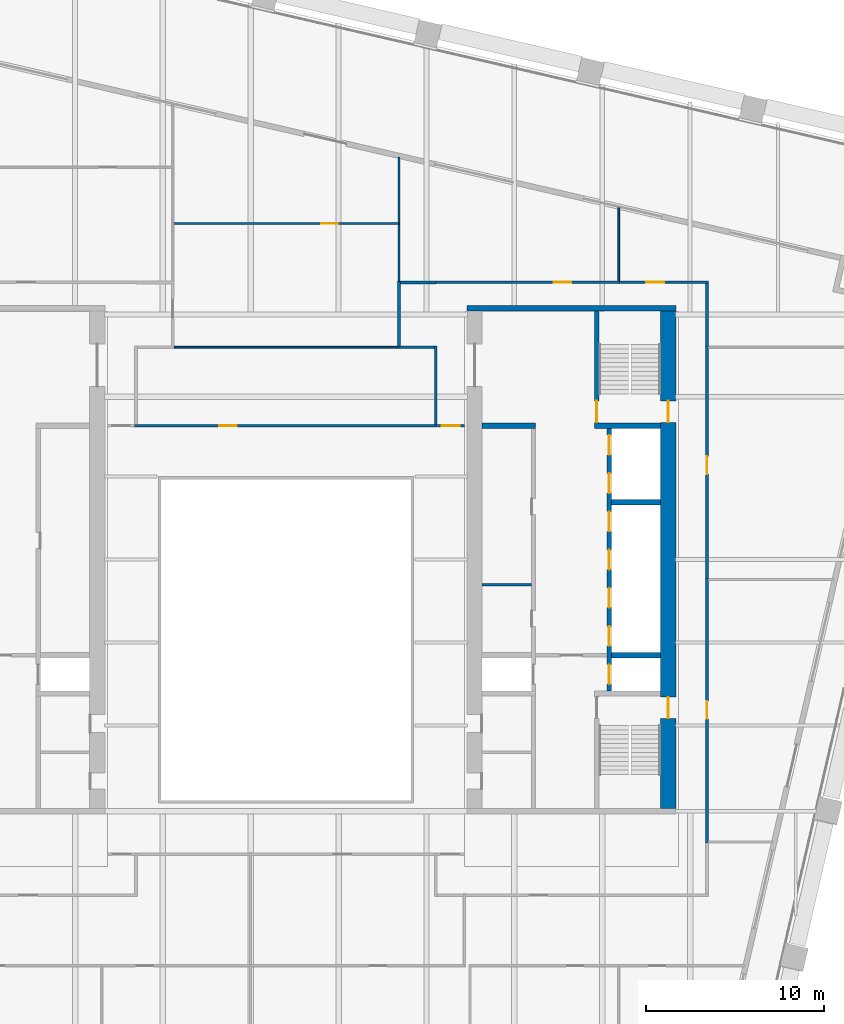
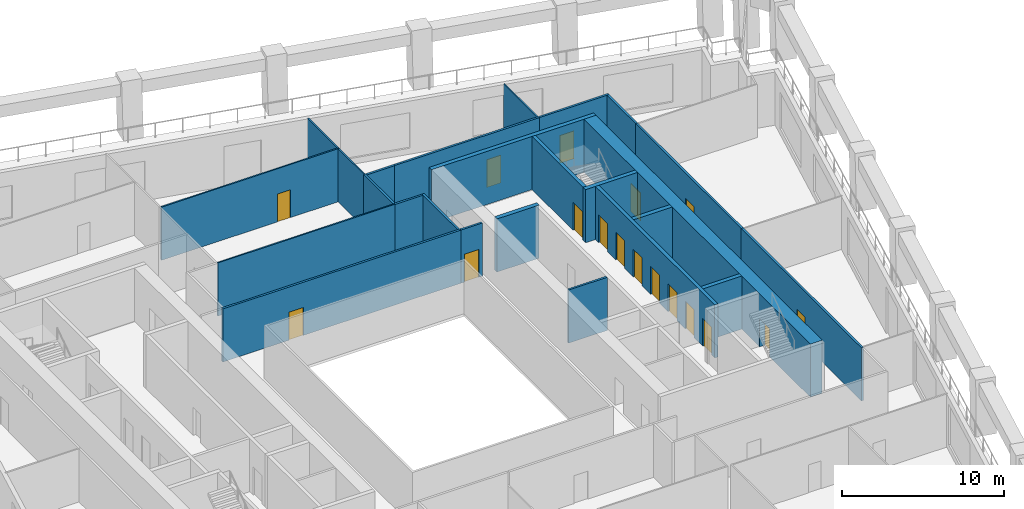
# One storey, part 7 of 10: 25 walls, 17 doors, 17 openings.
"""IFC4 building model written with IfcOpenShell, lengths in metres."""

from ifc_helpers import new_model, si_unit, direction, frame, frame_2d, origin, place, context, subcontext, project, spatial, rectangle, extrude, material, layer, layer_set, type_object, element, fill, save


model = new_model("IFC4")

# Units and contexts
model_context = context("Model", 3, precision=1e-05, world=origin(), true_north=direction((0.0, 1.0)))
body_context = subcontext(model_context, "Body", "Model", "MODEL_VIEW")
ifc_project = project(units=[si_unit("LENGTHUNIT", "METRE"), si_unit("AREAUNIT", "SQUARE_METRE"), si_unit("VOLUMEUNIT", "CUBIC_METRE"), si_unit("PLANEANGLEUNIT", "RADIAN"), si_unit("MASSUNIT", "GRAM", prefix="KILO")], contexts=[model_context])

# Site, building, storey
site_placement = place(None, origin())
site = spatial("IfcSite", under=ifc_project, at=site_placement, CompositionType="ELEMENT")
building_placement = place(site_placement, origin())
building = spatial("IfcBuilding", under=site, at=building_placement, Name="Ogive Exchange Tower", CompositionType="ELEMENT")
storey_placement = place(building_placement, frame((0.0, 0.0, 147.60009765625)))
storey = spatial("IfcBuildingStorey", under=building, at=storey_placement, Name="L32", CompositionType="ELEMENT", Elevation=147.60009765625)

# Walls
ifc_material_1 = material(Name="Gypsum board partition")
ifc_layer_1 = layer(ifc_material_1, 0.14990234375)
ifc_layer_set_1 = layer_set([ifc_layer_1], Name="Core room partition 150 gypsum")
wall_type_1 = type_object("IfcWallType", Name="Core room partition 150 gypsum", PredefinedType="PARTITIONING", material=ifc_layer_set_1)
wall_1_placement = place(storey_placement, frame((11.0, 10.10009765625, 0.0), z_axis=(0.0, 0.0, 1.0), x_axis=(1.0, 0.0, 0.0)))
element("IfcWall", 1, at=wall_1_placement, inside=storey, type_object=wall_type_1, Name="E row B bay partition 1-1", PredefinedType="PARTITIONING", context=body_context, shape_type="SweptSolid", body=[
    extrude(rectangle(XDim=2.75, YDim=0.14990234375, at=frame_2d((1.375, 0.0))), origin(), (0.0, 0.0, 1.0), 4.0),
])
ifc_layer_2 = layer(ifc_material_1, 0.300048828125)
ifc_layer_set_2 = layer_set([ifc_layer_2], Name="Core room partition 300 gypsum")
wall_type_2 = type_object("IfcWallType", Name="Core room partition 300 gypsum", PredefinedType="PARTITIONING", material=ifc_layer_set_2)
wall_2_placement = place(storey_placement, frame((11.0, 19.0, 0.0), z_axis=(0.0, 0.0, 1.0), x_axis=(1.0, 0.0, 0.0)))
element("IfcWall", 2, at=wall_2_placement, inside=storey, type_object=wall_type_2, Name="E row B room end wall 7", PredefinedType="PARTITIONING", context=body_context, shape_type="SweptSolid", body=[
    extrude(rectangle(XDim=3.0, YDim=0.300048828125, at=frame_2d((1.5, 0.0))), origin(), (0.0, 0.0, 1.0), 4.0),
])

# Wall, opening, door
ifc_material_2 = material(Name="Fire partition EI 60 150")
ifc_layer_3 = layer(ifc_material_2, 0.14990234375)
ifc_layer_set_3 = layer_set([ifc_layer_3], Name="Fire partition EI 60 150")
wall_type_3 = type_object("IfcWallType", Name="Fire partition EI 60 150", PredefinedType="PARTITIONING", material=ifc_layer_set_3)
wall_3_placement = place(storey_placement, frame((-8.47509765625, 19.0, 0.0), z_axis=(0.0, 0.0, 1.0), x_axis=(1.0, 0.0, 0.0)))
wall_3 = element("IfcWall", 3, at=wall_3_placement, inside=storey, type_object=wall_type_3, Name="L32-PWL-023", PredefinedType="PARTITIONING", context=body_context, shape_type="SweptSolid", body=[
    extrude(rectangle(XDim=16.9501953125, YDim=0.14990234375, at=frame_2d((8.47509765625, 0.0))), origin(), (0.0, 0.0, 1.0), 4.0),
])
opening_1_placement = place(wall_3_placement, frame((4.72509765625, 0.0, 0.0)))
opening_1 = element("IfcOpeningElement", 4, at=opening_1_placement, cuts=wall_3, Name="Opening L32-I02", PredefinedType="OPENING", context=body_context, shape_type="SweptSolid", body=[
    extrude(rectangle(XDim=1.0, YDim=2.10009765625, at=frame_2d((0.5, 1.050048828125))), frame((0.0, 0.0849609375, 0.0), z_axis=(0.0, -1.0, 0.0), x_axis=(1.0, 0.0, 0.0)), (0.0, 0.0, 1.0), 0.169921875),
])
ifc_material_3 = material(Name="Fire door FD 30S 1000 x 2100")
door_type_1 = type_object("IfcDoorType", Name="Fire door FD 30S 1000 x 2100", OperationType="NOTDEFINED", PredefinedType="DOOR", material=ifc_material_3)
door_1_placement = place(opening_1_placement, origin())
door_1 = element("IfcDoor", 5, at=door_1_placement, inside=storey, type_object=door_type_1, Name="L32-IDR-002", ObjectType="DT3", OperationType="SINGLE_SWING_LEFT", OverallHeight=2.10009765625, OverallWidth=1.0, PredefinedType="DOOR", context=body_context, shape_type="SweptSolid", body=[
    extrude(rectangle(XDim=1.0, YDim=2.10009765625, at=frame_2d((0.5, 1.050048828125))), frame((0.0, 0.02490234375, 0.0), z_axis=(0.0, -1.0, 0.0), x_axis=(1.0, 0.0, 0.0)), (0.0, 0.0, 1.0), 0.050048828125),
])
fill(opening_1, door_1)

# Walls
wall_4_placement = place(storey_placement, frame((6.340087890625, 23.4599609375, 0.0), z_axis=(0.0, 0.0, 1.0), x_axis=(0.0, 1.0, 0.0)))
element("IfcWall", 6, at=wall_4_placement, inside=storey, type_object=wall_type_3, Name="L32-PWL-037", PredefinedType="PARTITIONING", context=body_context, shape_type="SweptSolid", body=[
    extrude(rectangle(XDim=3.655029296875, YDim=0.14990234375, at=frame_2d((1.82763671875, 0.0))), origin(), (0.0, 0.0, 1.0), 4.0),
])
wall_5_placement = place(storey_placement, frame((6.4150390625, 27.0400390625, 0.0), z_axis=(0.0, 0.0, 1.0), x_axis=(1.0, 0.0, 0.0)))
element("IfcWall", 7, at=wall_5_placement, inside=storey, type_object=wall_type_3, Name="L32-PWL-039", PredefinedType="PARTITIONING", context=body_context, shape_type="SweptSolid", body=[
    extrude(rectangle(XDim=1.98486328125, YDim=0.14990234375, at=frame_2d((0.992431640625, 0.0))), origin(), (0.0, 0.0, 1.0), 4.0),
])
wall_6_placement = place(storey_placement, frame((8.39990234375, 19.074951171875, 0.0), z_axis=(0.0, 0.0, 1.0), x_axis=(0.0, 1.0, 0.0)))
element("IfcWall", 8, at=wall_6_placement, inside=storey, type_object=wall_type_3, Name="L32-PWL-043", PredefinedType="PARTITIONING", context=body_context, shape_type="SweptSolid", body=[
    extrude(rectangle(XDim=4.41015625, YDim=0.14990234375, at=frame_2d((2.205078125, 0.0))), origin(), (0.0, 0.0, 1.0), 4.0),
])
wall_7_placement = place(storey_placement, frame((8.324951171875, 23.409912109375, 0.0), z_axis=(0.0, 0.0, 1.0), x_axis=(-1.0, 0.0, 0.0)))
element("IfcWall", 9, at=wall_7_placement, inside=storey, type_object=wall_type_3, Name="L32-PWL-044", PredefinedType="PARTITIONING", context=body_context, shape_type="SweptSolid", body=[
    extrude(rectangle(XDim=1.98486328125, YDim=0.14990234375, at=frame_2d((0.992431640625, 0.0))), origin(), (0.0, 0.0, 1.0), 4.0),
])

# Wall, opening, door
wall_8_placement = place(storey_placement, frame((8.39990234375, 27.050048828125, 0.0), z_axis=(0.0, 0.0, 1.0), x_axis=(1.0, 0.0, 0.0)))
wall_8 = element("IfcWall", 10, at=wall_8_placement, inside=storey, type_object=wall_type_3, Name="L32-PWL-045", PredefinedType="PARTITIONING", context=body_context, shape_type="SweptSolid", body=[
    extrude(rectangle(XDim=10.300048828125, YDim=0.14990234375, at=frame_2d((5.14990234375, 0.0))), origin(), (0.0, 0.0, 1.0), 4.0),
])
opening_2_placement = place(wall_8_placement, frame((6.60009765625, 0.0, 0.0)))
opening_2 = element("IfcOpeningElement", 11, at=opening_2_placement, cuts=wall_8, Name="Opening L32-I05", PredefinedType="OPENING", context=body_context, shape_type="SweptSolid", body=[
    extrude(rectangle(XDim=1.0, YDim=2.10009765625, at=frame_2d((0.5, 1.050048828125))), frame((0.0, 0.0849609375, 0.0), z_axis=(0.0, -1.0, 0.0), x_axis=(1.0, 0.0, 0.0)), (0.0, 0.0, 1.0), 0.169921875),
])
door_2_placement = place(opening_2_placement, origin())
door_2 = element("IfcDoor", 12, at=door_2_placement, inside=storey, type_object=door_type_1, Name="L32-IDR-005", ObjectType="DT3", OperationType="SINGLE_SWING_LEFT", OverallHeight=2.10009765625, OverallWidth=1.0, PredefinedType="DOOR", context=body_context, shape_type="SweptSolid", body=[
    extrude(rectangle(XDim=1.0, YDim=2.10009765625, at=frame_2d((0.5, 1.050048828125))), frame((0.0, 0.02490234375, 0.0), z_axis=(0.0, -1.0, 0.0), x_axis=(1.0, 0.0, 0.0)), (0.0, 0.0, 1.0), 0.050048828125),
])
fill(opening_2, door_2)

wall_9_placement = place(storey_placement, frame((18.699951171875, 27.050048828125, 0.0), z_axis=(0.0, 0.0, 1.0), x_axis=(1.0, 0.0, 0.0)))
wall_9 = element("IfcWall", 13, at=wall_9_placement, inside=storey, type_object=wall_type_3, Name="L32-PWL-053", PredefinedType="PARTITIONING", context=body_context, shape_type="SweptSolid", body=[
    extrude(rectangle(XDim=4.97509765625, YDim=0.14990234375, at=frame_2d((2.487548828125, 0.0))), origin(), (0.0, 0.0, 1.0), 4.0),
])
opening_3_placement = place(wall_9_placement, frame((1.5, 0.0, 0.0)))
opening_3 = element("IfcOpeningElement", 14, at=opening_3_placement, cuts=wall_9, Name="Opening L32-I04", PredefinedType="OPENING", context=body_context, shape_type="SweptSolid", body=[
    extrude(rectangle(XDim=1.0, YDim=2.10009765625, at=frame_2d((0.5, 1.050048828125))), frame((0.0, 0.0849609375, 0.0), z_axis=(0.0, -1.0, 0.0), x_axis=(1.0, 0.0, 0.0)), (0.0, 0.0, 1.0), 0.169921875),
])
door_3_placement = place(opening_3_placement, origin())
door_3 = element("IfcDoor", 15, at=door_3_placement, inside=storey, type_object=door_type_1, Name="L32-IDR-004", ObjectType="DT3", OperationType="SINGLE_SWING_RIGHT", OverallHeight=2.10009765625, OverallWidth=1.0, PredefinedType="DOOR", context=body_context, shape_type="SweptSolid", body=[
    extrude(rectangle(XDim=1.0, YDim=2.10009765625, at=frame_2d((0.5, 1.050048828125))), frame((0.0, 0.02490234375, 0.0), z_axis=(0.0, -1.0, 0.0), x_axis=(1.0, 0.0, 0.0)), (0.0, 0.0, 1.0), 0.050048828125),
])
fill(opening_3, door_3)

wall_10_placement = place(storey_placement, frame((23.60009765625, 10.43994140625, 0.0), z_axis=(0.0, 0.0, 1.0), x_axis=(0.0, -1.0, 0.0)))
wall_10 = element("IfcWall", 16, at=wall_10_placement, inside=storey, type_object=wall_type_3, Name="L32-PWL-056", PredefinedType="PARTITIONING", context=body_context, shape_type="SweptSolid", body=[
    extrude(rectangle(XDim=14.81005859375, YDim=0.14990234375, at=frame_2d((7.405029296875, 0.0))), origin(), (0.0, 0.0, 1.0), 4.0),
])
opening_4_placement = place(wall_10_placement, frame((6.860107421875, 0.0, 0.0)))
opening_4 = element("IfcOpeningElement", 17, at=opening_4_placement, cuts=wall_10, Name="Opening L32-I11", PredefinedType="OPENING", context=body_context, shape_type="SweptSolid", body=[
    extrude(rectangle(XDim=1.0, YDim=2.10009765625, at=frame_2d((0.5, 1.050048828125))), frame((0.0, 0.0849609375, 0.0), z_axis=(0.0, -1.0, 0.0), x_axis=(1.0, 0.0, 0.0)), (0.0, 0.0, 1.0), 0.169921875),
])
door_4_placement = place(opening_4_placement, origin())
door_4 = element("IfcDoor", 18, at=door_4_placement, inside=storey, type_object=door_type_1, Name="L32-IDR-011", ObjectType="DT3", OperationType="SINGLE_SWING_RIGHT", OverallHeight=2.10009765625, OverallWidth=1.0, PredefinedType="DOOR", context=body_context, shape_type="SweptSolid", body=[
    extrude(rectangle(XDim=1.0, YDim=2.10009765625, at=frame_2d((0.5, 1.050048828125))), frame((0.0, 0.02490234375, 0.0), z_axis=(0.0, -1.0, 0.0), x_axis=(1.0, 0.0, 0.0)), (0.0, 0.0, 1.0), 0.050048828125),
])
fill(opening_4, door_4)

wall_11_placement = place(storey_placement, frame((23.60009765625, 23.4599609375, 0.0), z_axis=(0.0, 0.0, 1.0), x_axis=(0.0, -1.0, 0.0)))
wall_11 = element("IfcWall", 19, at=wall_11_placement, inside=storey, type_object=wall_type_3, Name="L32-PWL-057", PredefinedType="PARTITIONING", context=body_context, shape_type="SweptSolid", body=[
    extrude(rectangle(XDim=13.02001953125, YDim=0.14990234375, at=frame_2d((6.510009765625, 0.0))), origin(), (0.0, 0.0, 1.0), 4.0),
])
opening_5_placement = place(wall_11_placement, frame((6.169921875, 0.0, 0.0)))
opening_5 = element("IfcOpeningElement", 20, at=opening_5_placement, cuts=wall_11, Name="Opening L32-I03", PredefinedType="OPENING", context=body_context, shape_type="SweptSolid", body=[
    extrude(rectangle(XDim=1.0, YDim=2.10009765625, at=frame_2d((0.5, 1.050048828125))), frame((0.0, 0.0849609375, 0.0), z_axis=(0.0, -1.0, 0.0), x_axis=(1.0, 0.0, 0.0)), (0.0, 0.0, 1.0), 0.169921875),
])
door_5_placement = place(opening_5_placement, origin())
door_5 = element("IfcDoor", 21, at=door_5_placement, inside=storey, type_object=door_type_1, Name="L32-IDR-003", ObjectType="DT3", OperationType="SINGLE_SWING_LEFT", OverallHeight=2.10009765625, OverallWidth=1.0, PredefinedType="DOOR", context=body_context, shape_type="SweptSolid", body=[
    extrude(rectangle(XDim=1.0, YDim=2.10009765625, at=frame_2d((0.5, 1.050048828125))), frame((0.0, 0.02490234375, 0.0), z_axis=(0.0, -1.0, 0.0), x_axis=(1.0, 0.0, 0.0)), (0.0, 0.0, 1.0), 0.050048828125),
])
fill(opening_5, door_5)

# Wall
wall_12_placement = place(storey_placement, frame((23.60009765625, 26.97509765625, 0.0), z_axis=(0.0, 0.0, 1.0), x_axis=(0.0, -1.0, 0.0)))
element("IfcWall", 22, at=wall_12_placement, inside=storey, type_object=wall_type_3, Name="L32-PWL-059", PredefinedType="PARTITIONING", context=body_context, shape_type="SweptSolid", body=[
    extrude(rectangle(XDim=3.51513671875, YDim=0.14990234375, at=frame_2d((1.757568359375, 0.0))), origin(), (0.0, 0.0, 1.0), 4.0),
])

# Wall, opening, door
wall_13_placement = place(storey_placement, frame((8.485107421875, 19.0, 0.0), z_axis=(0.0, 0.0, 1.0), x_axis=(1.0, 0.0, 0.0)))
wall_13 = element("IfcWall", 23, at=wall_13_placement, inside=storey, type_object=wall_type_3, Name="L32-PWL-066", PredefinedType="PARTITIONING", context=body_context, shape_type="SweptSolid", body=[
    extrude(rectangle(XDim=1.514892578125, YDim=0.14990234375, at=frame_2d((0.75732421875, 0.0))), origin(), (0.0, 0.0, 1.0), 4.0),
])
opening_6_placement = place(wall_13_placement, frame((0.258056640625, 0.0, 0.0)))
opening_6 = element("IfcOpeningElement", 24, at=opening_6_placement, cuts=wall_13, Name="Opening L32-I25", PredefinedType="OPENING", context=body_context, shape_type="SweptSolid", body=[
    extrude(rectangle(XDim=1.0, YDim=2.10009765625, at=frame_2d((0.5, 1.050048828125))), frame((0.0, 0.0849609375, 0.0), z_axis=(0.0, -1.0, 0.0), x_axis=(1.0, 0.0, 0.0)), (0.0, 0.0, 1.0), 0.169921875),
])
door_6_placement = place(opening_6_placement, origin())
door_6 = element("IfcDoor", 25, at=door_6_placement, inside=storey, type_object=door_type_1, Name="L32-IDR-025", ObjectType="DT3", OperationType="SINGLE_SWING_RIGHT", OverallHeight=2.10009765625, OverallWidth=1.0, PredefinedType="DOOR", context=body_context, shape_type="SweptSolid", body=[
    extrude(rectangle(XDim=1.0, YDim=2.10009765625, at=frame_2d((0.5, 1.050048828125))), frame((0.0, 0.02490234375, 0.0), z_axis=(0.0, -1.0, 0.0), x_axis=(1.0, 0.0, 0.0)), (0.0, 0.0, 1.0), 0.050048828125),
])
fill(opening_6, door_6)

# Wall
ifc_material_4 = material(Name="Partition 100 gypsum")
ifc_layer_4 = layer(ifc_material_4, 0.10009765625)
ifc_layer_set_4 = layer_set([ifc_layer_4], Name="Partition 100 gypsum")
wall_type_4 = type_object("IfcWallType", Name="Partition 100 gypsum", PredefinedType="PARTITIONING", material=ifc_layer_set_4)
wall_14_placement = place(storey_placement, frame((-6.264892578125, 23.409912109375, 0.0), z_axis=(0.0, 0.0, 1.0), x_axis=(1.0, 0.0, 0.0)))
element("IfcWall", 26, at=wall_14_placement, inside=storey, type_object=wall_type_4, Name="L32-PWL-027", PredefinedType="PARTITIONING", context=body_context, shape_type="SweptSolid", body=[
    extrude(rectangle(XDim=12.60498046875, YDim=0.10009765625, at=frame_2d((6.302490234375, 0.0))), origin(), (0.0, 0.0, 1.0), 4.0),
])

# Wall, opening, door
wall_15_placement = place(storey_placement, frame((-6.2900390625, 30.340087890625, 0.0), z_axis=(0.0, 0.0, 1.0), x_axis=(1.0, 0.0, 0.0)))
wall_15 = element("IfcWall", 27, at=wall_15_placement, inside=storey, type_object=wall_type_4, Name="L32-PWL-031", PredefinedType="PARTITIONING", context=body_context, shape_type="SweptSolid", body=[
    extrude(rectangle(XDim=12.679931640625, YDim=0.10009765625, at=frame_2d((6.33984375, 0.0))), origin(), (0.0, 0.0, 1.0), 4.0),
])
opening_7_placement = place(wall_15_placement, frame((8.280029296875, 0.0, 0.0)))
opening_7 = element("IfcOpeningElement", 28, at=opening_7_placement, cuts=wall_15, Name="Opening L32-I07", PredefinedType="OPENING", context=body_context, shape_type="SweptSolid", body=[
    extrude(rectangle(XDim=0.89990234375, YDim=2.10009765625, at=frame_2d((0.449951171875, 1.050048828125))), frame((0.0, 0.06005859375, 0.0), z_axis=(0.0, -1.0, 0.0), x_axis=(1.0, 0.0, 0.0)), (0.0, 0.0, 1.0), 0.1201171875),
])
ifc_material_5 = material(Name="Door 900 x 2100")
door_type_2 = type_object("IfcDoorType", Name="Door 900 x 2100", OperationType="NOTDEFINED", PredefinedType="DOOR", material=ifc_material_5)
door_7_placement = place(opening_7_placement, origin())
door_7 = element("IfcDoor", 29, at=door_7_placement, inside=storey, type_object=door_type_2, Name="L32-IDR-007", ObjectType="DT1", OperationType="SINGLE_SWING_LEFT", OverallHeight=2.10009765625, OverallWidth=0.89990234375, PredefinedType="DOOR", context=body_context, shape_type="SweptSolid", body=[
    extrude(rectangle(XDim=0.89990234375, YDim=2.10009765625, at=frame_2d((0.449951171875, 1.050048828125))), frame((0.0, 0.02490234375, 0.0), z_axis=(0.0, -1.0, 0.0), x_axis=(1.0, 0.0, 0.0)), (0.0, 0.0, 1.0), 0.050048828125),
])
fill(opening_7, door_7)

# Walls
wall_16_placement = place(storey_placement, frame((6.340087890625, 27.114990234375, 0.0), z_axis=(0.0, 0.0, 1.0), x_axis=(0.0, 1.0, 0.0)))
element("IfcWall", 30, at=wall_16_placement, inside=storey, type_object=wall_type_4, Name="L32-PWL-038", PredefinedType="PARTITIONING", context=body_context, shape_type="SweptSolid", body=[
    extrude(rectangle(XDim=3.175048828125, YDim=0.10009765625, at=frame_2d((1.58740234375, 0.0))), origin(), (0.0, 0.0, 1.0), 4.0),
])
wall_17_placement = place(storey_placement, frame((6.340087890625, 30.389892578125, 0.0), z_axis=(0.0, 0.0, 1.0), x_axis=(0.0, 1.0, 0.0)))
element("IfcWall", 31, at=wall_17_placement, inside=storey, type_object=wall_type_4, Name="L32-PWL-040", PredefinedType="PARTITIONING", context=body_context, shape_type="SweptSolid", body=[
    extrude(rectangle(XDim=3.671142578125, YDim=0.10009765625, at=frame_2d((1.83544921875, 0.0))), origin(), (0.0, 0.0, 1.0), 4.0),
])
wall_18_placement = place(storey_placement, frame((18.64990234375, 27.125, 0.0), z_axis=(0.0, 0.0, 1.0), x_axis=(0.0, 1.0, 0.0)))
element("IfcWall", 32, at=wall_18_placement, inside=storey, type_object=wall_type_4, Name="L32-PWL-052", PredefinedType="PARTITIONING", context=body_context, shape_type="SweptSolid", body=[
    extrude(rectangle(XDim=4.093994140625, YDim=0.10009765625, at=frame_2d((2.046875, 0.0))), origin(), (0.0, 0.0, 1.0), 4.0),
])

# Wall, opening, door
ifc_material_6 = material(Name="Concrete C70/85", Category="concrete")
ifc_layer_5 = layer(ifc_material_6, 0.25)
ifc_layer_set_5 = layer_set([ifc_layer_5], Name="RC core wall 250 C70/85")
wall_type_5 = type_object("IfcWallType", Name="RC core wall 250 C70/85", PredefinedType="SHEAR", material=ifc_layer_set_5)
wall_19_placement = place(storey_placement, frame((17.425048828125, 19.14990234375, 0.0), z_axis=(0.0, 0.0, 1.0), x_axis=(0.0, 1.0, 0.0)))
wall_19 = element("IfcWall", 33, at=wall_19_placement, inside=storey, type_object=wall_type_5, Name="E stair N front wall", PredefinedType="SHEAR", context=body_context, shape_type="SweptSolid", body=[
    extrude(rectangle(XDim=6.300048828125, YDim=0.25, at=frame_2d((3.14990234375, 0.0))), origin(), (0.0, 0.0, 1.0), 4.0),
])
opening_8_placement = place(wall_19_placement, frame((0.050048828125, 0.0, 0.0)))
opening_8 = element("IfcOpeningElement", 34, at=opening_8_placement, cuts=wall_19, Name="Opening L32-C32", PredefinedType="OPENING", context=body_context, shape_type="SweptSolid", body=[
    extrude(rectangle(XDim=1.199951171875, YDim=2.10009765625, at=frame_2d((0.60009765625, 1.050048828125))), frame((0.0, 0.135009765625, 0.0), z_axis=(0.0, -1.0, 0.0), x_axis=(1.0, 0.0, 0.0)), (0.0, 0.0, 1.0), 0.27001953125),
])
ifc_material_7 = material(Name="Steel fire door", Category="steel")
door_type_3 = type_object("IfcDoorType", Name="Stair door FD90 1200 x 2100", OperationType="NOTDEFINED", PredefinedType="DOOR", material=ifc_material_7)
door_8_placement = place(opening_8_placement, frame((1.199951171875, 0.0, 0.0), z_axis=(0.0, 0.0, 1.0), x_axis=(-1.0, 0.0, 0.0)))
door_8 = element("IfcDoor", 35, at=door_8_placement, inside=storey, type_object=door_type_3, Name="Stair door", ObjectType="CD5", OperationType="SINGLE_SWING_LEFT", OverallHeight=2.10009765625, OverallWidth=1.199951171875, PredefinedType="DOOR", context=body_context, shape_type="SweptSolid", body=[
    extrude(rectangle(XDim=1.199951171875, YDim=2.10009765625, at=frame_2d((0.60009765625, 1.050048828125))), frame((0.0, 0.02490234375, 0.0), z_axis=(0.0, -1.0, 0.0), x_axis=(1.0, 0.0, 0.0)), (0.0, 0.0, 1.0), 0.050048828125),
])
fill(opening_8, door_8)

# Wall, openings, doors
wall_20_placement = place(storey_placement, frame((18.125, 4.14990234375, 0.0), z_axis=(0.0, 0.0, 1.0), x_axis=(0.0, 1.0, 0.0)))
wall_20 = element("IfcWall", 36, at=wall_20_placement, inside=storey, type_object=wall_type_5, Name="E row A front wall", PredefinedType="SHEAR", context=body_context, shape_type="SweptSolid", body=[
    extrude(rectangle(XDim=14.7001953125, YDim=0.25, at=frame_2d((7.35009765625, 0.0))), origin(), (0.0, 0.0, 1.0), 4.0),
])
opening_9_placement = place(wall_20_placement, frame((0.371337890625, 0.0, 0.0)))
opening_9 = element("IfcOpeningElement", 37, at=opening_9_placement, cuts=wall_20, Name="Opening L32-C18", PredefinedType="OPENING", context=body_context, shape_type="SweptSolid", body=[
    extrude(rectangle(XDim=1.10009765625, YDim=2.10009765625, at=frame_2d((0.550048828125, 1.050048828125))), frame((0.0, 0.135009765625, 0.0), z_axis=(0.0, -1.0, 0.0), x_axis=(1.0, 0.0, 0.0)), (0.0, 0.0, 1.0), 0.27001953125),
])
opening_10_placement = place(wall_20_placement, frame((2.514404296875, 0.0, 0.0)))
opening_10 = element("IfcOpeningElement", 38, at=opening_10_placement, cuts=wall_20, Name="Opening L32-C19", PredefinedType="OPENING", context=body_context, shape_type="SweptSolid", body=[
    extrude(rectangle(XDim=1.10009765625, YDim=2.10009765625, at=frame_2d((0.550048828125, 1.050048828125))), frame((0.0, 0.135009765625, 0.0), z_axis=(0.0, -1.0, 0.0), x_axis=(1.0, 0.0, 0.0)), (0.0, 0.0, 1.0), 0.27001953125),
])
opening_11_placement = place(wall_20_placement, frame((4.656982421875, 0.0, 0.0)))
opening_11 = element("IfcOpeningElement", 39, at=opening_11_placement, cuts=wall_20, Name="Opening L32-C20", PredefinedType="OPENING", context=body_context, shape_type="SweptSolid", body=[
    extrude(rectangle(XDim=1.10009765625, YDim=2.10009765625, at=frame_2d((0.550048828125, 1.050048828125))), frame((0.0, 0.135009765625, 0.0), z_axis=(0.0, -1.0, 0.0), x_axis=(1.0, 0.0, 0.0)), (0.0, 0.0, 1.0), 0.27001953125),
])
opening_12_placement = place(wall_20_placement, frame((6.800048828125, 0.0, 0.0)))
opening_12 = element("IfcOpeningElement", 40, at=opening_12_placement, cuts=wall_20, Name="Opening L32-C21", PredefinedType="OPENING", context=body_context, shape_type="SweptSolid", body=[
    extrude(rectangle(XDim=1.10009765625, YDim=2.10009765625, at=frame_2d((0.550048828125, 1.050048828125))), frame((0.0, 0.135009765625, 0.0), z_axis=(0.0, -1.0, 0.0), x_axis=(1.0, 0.0, 0.0)), (0.0, 0.0, 1.0), 0.27001953125),
])
opening_13_placement = place(wall_20_placement, frame((8.94287109375, 0.0, 0.0)))
opening_13 = element("IfcOpeningElement", 41, at=opening_13_placement, cuts=wall_20, Name="Opening L32-C22", PredefinedType="OPENING", context=body_context, shape_type="SweptSolid", body=[
    extrude(rectangle(XDim=1.10009765625, YDim=2.10009765625, at=frame_2d((0.550048828125, 1.050048828125))), frame((0.0, 0.135009765625, 0.0), z_axis=(0.0, -1.0, 0.0), x_axis=(1.0, 0.0, 0.0)), (0.0, 0.0, 1.0), 0.27001953125),
])
opening_14_placement = place(wall_20_placement, frame((11.085693359375, 0.0, 0.0)))
opening_14 = element("IfcOpeningElement", 42, at=opening_14_placement, cuts=wall_20, Name="Opening L32-C23", PredefinedType="OPENING", context=body_context, shape_type="SweptSolid", body=[
    extrude(rectangle(XDim=1.10009765625, YDim=2.10009765625, at=frame_2d((0.550048828125, 1.050048828125))), frame((0.0, 0.135009765625, 0.0), z_axis=(0.0, -1.0, 0.0), x_axis=(1.0, 0.0, 0.0)), (0.0, 0.0, 1.0), 0.27001953125),
])
opening_15_placement = place(wall_20_placement, frame((13.228515625, 0.0, 0.0)))
opening_15 = element("IfcOpeningElement", 43, at=opening_15_placement, cuts=wall_20, Name="Opening L32-C24", PredefinedType="OPENING", context=body_context, shape_type="SweptSolid", body=[
    extrude(rectangle(XDim=1.10009765625, YDim=2.10009765625, at=frame_2d((0.550048828125, 1.050048828125))), frame((0.0, 0.135009765625, 0.0), z_axis=(0.0, -1.0, 0.0), x_axis=(1.0, 0.0, 0.0)), (0.0, 0.0, 1.0), 0.27001953125),
])
ifc_material_8 = material(Name="Stainless steel", Category="steel")
door_type_4 = type_object("IfcDoorType", Name="Lift landing door FD90 1100 x 2100", OperationType="SLIDING_TO_LEFT", PredefinedType="DOOR", material=ifc_material_8)
door_9_placement = place(opening_9_placement, origin())
door_9 = element("IfcDoor", 44, at=door_9_placement, inside=storey, type_object=door_type_4, Name="Lift landing door FF2", ObjectType="LD", OperationType="SLIDING_TO_LEFT", OverallHeight=2.10009765625, OverallWidth=1.10009765625, PredefinedType="DOOR", context=body_context, shape_type="SweptSolid", body=[
    extrude(rectangle(XDim=1.10009765625, YDim=2.10009765625, at=frame_2d((0.550048828125, 1.050048828125))), frame((0.0, 0.02490234375, 0.0), z_axis=(0.0, -1.0, 0.0), x_axis=(1.0, 0.0, 0.0)), (0.0, 0.0, 1.0), 0.050048828125),
])
fill(opening_9, door_9)
door_10_placement = place(opening_10_placement, origin())
door_10 = element("IfcDoor", 45, at=door_10_placement, inside=storey, type_object=door_type_4, Name="Lift landing door E-L1", ObjectType="LD", OperationType="SLIDING_TO_LEFT", OverallHeight=2.10009765625, OverallWidth=1.10009765625, PredefinedType="DOOR", context=body_context, shape_type="SweptSolid", body=[
    extrude(rectangle(XDim=1.10009765625, YDim=2.10009765625, at=frame_2d((0.550048828125, 1.050048828125))), frame((0.0, 0.02490234375, 0.0), z_axis=(0.0, -1.0, 0.0), x_axis=(1.0, 0.0, 0.0)), (0.0, 0.0, 1.0), 0.050048828125),
])
fill(opening_10, door_10)
door_11_placement = place(opening_11_placement, origin())
door_11 = element("IfcDoor", 46, at=door_11_placement, inside=storey, type_object=door_type_4, Name="Lift landing door E-L2", ObjectType="LD", OperationType="SLIDING_TO_LEFT", OverallHeight=2.10009765625, OverallWidth=1.10009765625, PredefinedType="DOOR", context=body_context, shape_type="SweptSolid", body=[
    extrude(rectangle(XDim=1.10009765625, YDim=2.10009765625, at=frame_2d((0.550048828125, 1.050048828125))), frame((0.0, 0.02490234375, 0.0), z_axis=(0.0, -1.0, 0.0), x_axis=(1.0, 0.0, 0.0)), (0.0, 0.0, 1.0), 0.050048828125),
])
fill(opening_11, door_11)
door_12_placement = place(opening_12_placement, origin())
door_12 = element("IfcDoor", 47, at=door_12_placement, inside=storey, type_object=door_type_4, Name="Lift landing door E-L3", ObjectType="LD", OperationType="SLIDING_TO_LEFT", OverallHeight=2.10009765625, OverallWidth=1.10009765625, PredefinedType="DOOR", context=body_context, shape_type="SweptSolid", body=[
    extrude(rectangle(XDim=1.10009765625, YDim=2.10009765625, at=frame_2d((0.550048828125, 1.050048828125))), frame((0.0, 0.02490234375, 0.0), z_axis=(0.0, -1.0, 0.0), x_axis=(1.0, 0.0, 0.0)), (0.0, 0.0, 1.0), 0.050048828125),
])
fill(opening_12, door_12)
door_13_placement = place(opening_13_placement, origin())
door_13 = element("IfcDoor", 48, at=door_13_placement, inside=storey, type_object=door_type_4, Name="Lift landing door E-L4", ObjectType="LD", OperationType="SLIDING_TO_LEFT", OverallHeight=2.10009765625, OverallWidth=1.10009765625, PredefinedType="DOOR", context=body_context, shape_type="SweptSolid", body=[
    extrude(rectangle(XDim=1.10009765625, YDim=2.10009765625, at=frame_2d((0.550048828125, 1.050048828125))), frame((0.0, 0.02490234375, 0.0), z_axis=(0.0, -1.0, 0.0), x_axis=(1.0, 0.0, 0.0)), (0.0, 0.0, 1.0), 0.050048828125),
])
fill(opening_13, door_13)
door_14_placement = place(opening_14_placement, origin())
door_14 = element("IfcDoor", 49, at=door_14_placement, inside=storey, type_object=door_type_4, Name="Lift landing door E-SH1", ObjectType="LD", OperationType="SLIDING_TO_LEFT", OverallHeight=2.10009765625, OverallWidth=1.10009765625, PredefinedType="DOOR", context=body_context, shape_type="SweptSolid", body=[
    extrude(rectangle(XDim=1.10009765625, YDim=2.10009765625, at=frame_2d((0.550048828125, 1.050048828125))), frame((0.0, 0.02490234375, 0.0), z_axis=(0.0, -1.0, 0.0), x_axis=(1.0, 0.0, 0.0)), (0.0, 0.0, 1.0), 0.050048828125),
])
fill(opening_14, door_14)
door_15_placement = place(opening_15_placement, origin())
door_15 = element("IfcDoor", 50, at=door_15_placement, inside=storey, type_object=door_type_4, Name="Lift landing door E-SH2", ObjectType="LD", OperationType="SLIDING_TO_LEFT", OverallHeight=2.10009765625, OverallWidth=1.10009765625, PredefinedType="DOOR", context=body_context, shape_type="SweptSolid", body=[
    extrude(rectangle(XDim=1.10009765625, YDim=2.10009765625, at=frame_2d((0.550048828125, 1.050048828125))), frame((0.0, 0.02490234375, 0.0), z_axis=(0.0, -1.0, 0.0), x_axis=(1.0, 0.0, 0.0)), (0.0, 0.0, 1.0), 0.050048828125),
])
fill(opening_15, door_15)

# Walls
ifc_layer_6 = layer(ifc_material_6, 0.300048828125)
ifc_layer_set_6 = layer_set([ifc_layer_6], Name="RC core wall 300 C70/85")
wall_type_6 = type_object("IfcWallType", Name="RC core wall 300 C70/85", PredefinedType="SHEAR", material=ifc_layer_set_6)
wall_21_placement = place(storey_placement, frame((10.14990234375, 25.60009765625, 0.0), z_axis=(0.0, 0.0, 1.0), x_axis=(1.0, 0.0, 0.0)))
element("IfcWall", 51, at=wall_21_placement, inside=storey, type_object=wall_type_6, Name="E north end wall", PredefinedType="SHEAR", context=body_context, shape_type="SweptSolid", body=[
    extrude(rectangle(XDim=11.7001953125, YDim=0.300048828125, at=frame_2d((5.85009765625, 0.0))), origin(), (0.0, 0.0, 1.0), 4.0),
])
wall_22_placement = place(storey_placement, frame((17.300048828125, 19.0, 0.0), z_axis=(0.0, 0.0, 1.0), x_axis=(1.0, 0.0, 0.0)))
element("IfcWall", 52, at=wall_22_placement, inside=storey, type_object=wall_type_6, Name="E stair N south wall", PredefinedType="SHEAR", context=body_context, shape_type="SweptSolid", body=[
    extrude(rectangle(XDim=3.699951171875, YDim=0.300048828125, at=frame_2d((1.85009765625, 0.0))), origin(), (0.0, 0.0, 1.0), 4.0),
])
for number, where, z_axis, x_axis, name in (
    (53, (18.25, 6.142822265625, 0.0), (0.0, 0.0, 1.0), (1.0, 0.0, 0.0), "E row A divider 1"),
    (54, (18.25, 14.71435546875, 0.0), (0.0, 0.0, 1.0), (1.0, 0.0, 0.0), "E row A divider 5"),
):
    element("IfcWall", number, at=place(storey_placement, frame(where, z_axis=z_axis, x_axis=x_axis)), inside=storey, type_object=wall_type_6, Name=name, PredefinedType="SHEAR", context=body_context, shape_type="SweptSolid", body=[
        extrude(rectangle(XDim=2.75, YDim=0.300048828125, at=frame_2d((1.375, 0.0))), origin(), (0.0, 0.0, 1.0), 4.0),
    ])

# Wall, openings, doors
ifc_layer_7 = layer(ifc_material_6, 0.85009765625)
ifc_layer_set_7 = layer_set([ifc_layer_7], Name="RC core wall 850 C70/85")
wall_type_7 = type_object("IfcWallType", Name="RC core wall 850 C70/85", PredefinedType="SHEAR", material=ifc_layer_set_7)
wall_23_placement = place(storey_placement, frame((21.425048828125, -2.449951171875, 0.0), z_axis=(0.0, 0.0, 1.0), x_axis=(0.0, 1.0, 0.0)))
wall_23 = element("IfcWall", 55, at=wall_23_placement, inside=storey, type_object=wall_type_7, Name="E outer wall", PredefinedType="SHEAR", context=body_context, shape_type="SweptSolid", body=[
    extrude(rectangle(XDim=27.89990234375, YDim=0.85009765625, at=frame_2d((13.949951171875, 0.0))), origin(), (0.0, 0.0, 1.0), 4.0),
])
opening_16_placement = place(wall_23_placement, frame((5.050048828125, 0.0, 0.0)))
opening_16 = element("IfcOpeningElement", 56, at=opening_16_placement, cuts=wall_23, Name="Opening L32-C31", PredefinedType="OPENING", context=body_context, shape_type="SweptSolid", body=[
    extrude(rectangle(XDim=1.199951171875, YDim=2.10009765625, at=frame_2d((0.60009765625, 1.050048828125))), frame((0.0, 0.43505859375, 0.0), z_axis=(0.0, -1.0, 0.0), x_axis=(1.0, 0.0, 0.0)), (0.0, 0.0, 1.0), 0.8701171875),
])
opening_17_placement = place(wall_23_placement, frame((21.64990234375, 0.0, 0.0)))
opening_17 = element("IfcOpeningElement", 57, at=opening_17_placement, cuts=wall_23, Name="Opening L32-C33", PredefinedType="OPENING", context=body_context, shape_type="SweptSolid", body=[
    extrude(rectangle(XDim=1.199951171875, YDim=2.10009765625, at=frame_2d((0.60009765625, 1.050048828125))), frame((0.0, 0.43505859375, 0.0), z_axis=(0.0, -1.0, 0.0), x_axis=(1.0, 0.0, 0.0)), (0.0, 0.0, 1.0), 0.8701171875),
])
door_16_placement = place(opening_16_placement, origin())
door_16 = element("IfcDoor", 58, at=door_16_placement, inside=storey, type_object=door_type_3, Name="Stair door", ObjectType="CD5", OperationType="SINGLE_SWING_LEFT", OverallHeight=2.10009765625, OverallWidth=1.199951171875, PredefinedType="DOOR", context=body_context, shape_type="SweptSolid", body=[
    extrude(rectangle(XDim=1.199951171875, YDim=2.10009765625, at=frame_2d((0.60009765625, 1.050048828125))), frame((0.0, 0.02490234375, 0.0), z_axis=(0.0, -1.0, 0.0), x_axis=(1.0, 0.0, 0.0)), (0.0, 0.0, 1.0), 0.050048828125),
])
fill(opening_16, door_16)
door_17_placement = place(opening_17_placement, origin())
door_17 = element("IfcDoor", 59, at=door_17_placement, inside=storey, type_object=door_type_3, Name="Stair door", ObjectType="CD5", OperationType="SINGLE_SWING_RIGHT", OverallHeight=2.10009765625, OverallWidth=1.199951171875, PredefinedType="DOOR", context=body_context, shape_type="SweptSolid", body=[
    extrude(rectangle(XDim=1.199951171875, YDim=2.10009765625, at=frame_2d((0.60009765625, 1.050048828125))), frame((0.0, 0.02490234375, 0.0), z_axis=(0.0, -1.0, 0.0), x_axis=(1.0, 0.0, 0.0)), (0.0, 0.0, 1.0), 0.050048828125),
])
fill(opening_17, door_17)

save(model, "model.ifc")
